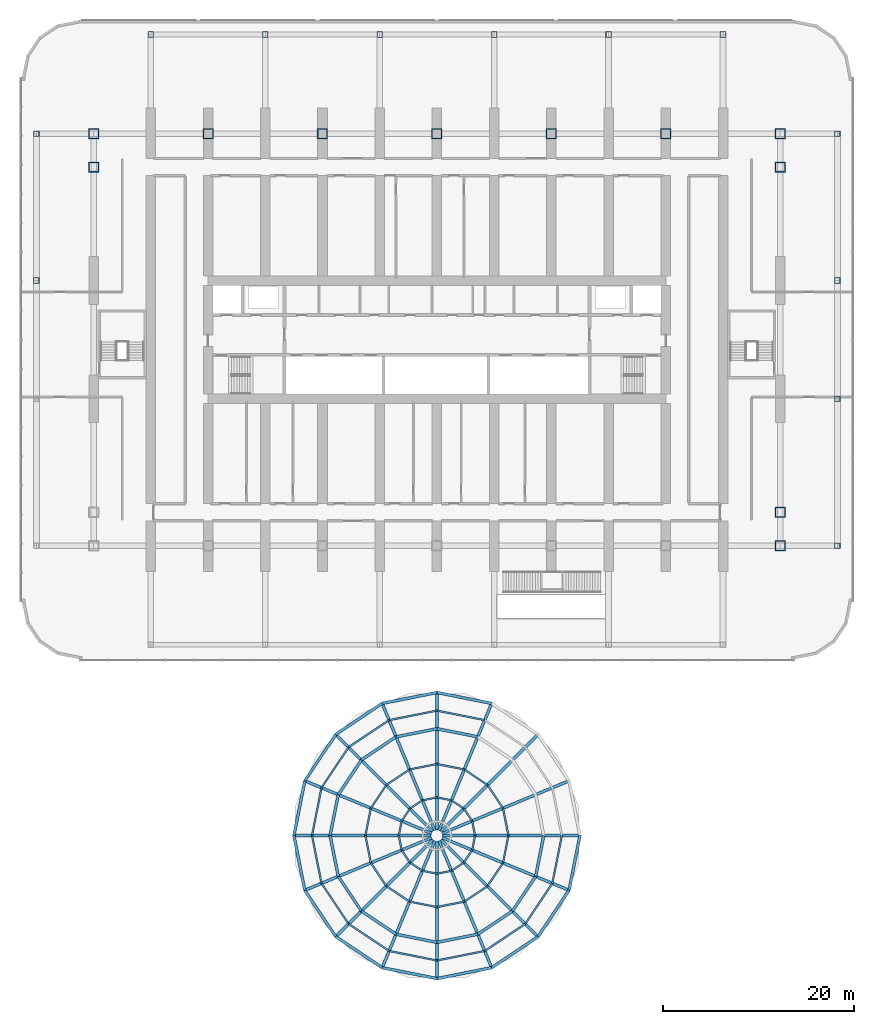
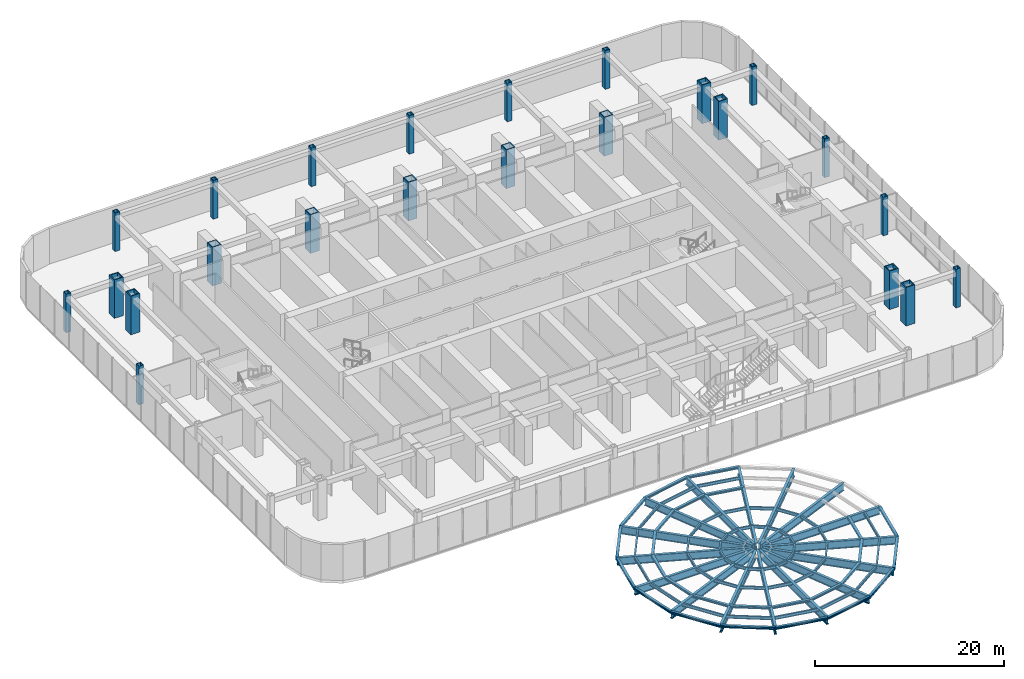
# One storey, part 3 of 37: 61 members, 26 beams, 23 columns.
"""IFC4 building model written with IfcOpenShell, lengths in metres."""

from ifc_helpers import new_model, si_unit, direction, frame, origin, origin_2d, place, context, subcontext, project, spatial, hollow_rectangle, i_section, extrude, material, material_profile, profile_set, type_object, element, save


model = new_model("IFC4")

# Units and contexts
model_context = context("Model", 3, precision=1e-05, world=origin(), true_north=direction((0.0, 1.0)))
body_context = subcontext(model_context, "Body", "Model", "MODEL_VIEW")
ifc_project = project(units=[si_unit("LENGTHUNIT", "METRE"), si_unit("AREAUNIT", "SQUARE_METRE"), si_unit("VOLUMEUNIT", "CUBIC_METRE"), si_unit("PLANEANGLEUNIT", "RADIAN"), si_unit("MASSUNIT", "GRAM", prefix="KILO")], contexts=[model_context])

# Site, building, storey
site_placement = place(None, origin())
site = spatial("IfcSite", under=ifc_project, at=site_placement, CompositionType="ELEMENT")
building_placement = place(site_placement, origin())
building = spatial("IfcBuilding", under=site, at=building_placement, Name="Orbita Commons", CompositionType="ELEMENT")
storey_placement = place(building_placement, frame((0.0, 0.0, 6.0)))
storey = spatial("IfcBuildingStorey", under=building, at=storey_placement, Name="L01", CompositionType="ELEMENT", Elevation=6.0)

# Columns
ifc_material_1 = material(Name="Steel ASTM A572 Gr 42 welded plate", Category="steel")
ifc_material_profile_1 = material_profile(ifc_material_1, hollow_rectangle(XDim=1.10009765625, YDim=1.10009765625, WallThickness=0.110107421875, at=origin_2d()), Name="BOX 1100x1100x110")
ifc_profile_set_1 = profile_set([ifc_material_profile_1], Name="Steel ASTM A572 Gr 42 welded plate")
column_type_1 = type_object("IfcColumnType", Name="Steel column BOX 1100x1100x110", PredefinedType="COLUMN", material=ifc_profile_set_1)
for number, where, z_axis, x_axis, name in (
    (1, (6.0, 53.60009765625, 0.0), (0.0, 0.0, 1.0), (1.0, 0.0, 0.0), "Column 2/E L01"),
    (2, (18.0, 53.60009765625, 0.0), (0.0, 0.0, 1.0), (1.0, 0.0, 0.0), "Column 4/E L01"),
    (3, (30.0, 53.60009765625, 0.0), (0.0, 0.0, 1.0), (1.0, 0.0, 0.0), "Column 6/E L01"),
    (4, (42.0, 53.60009765625, 0.0), (0.0, 0.0, 1.0), (1.0, 0.0, 0.0), "Column 8/E L01"),
    (5, (54.0, 53.60009765625, 0.0), (0.0, 0.0, 1.0), (1.0, 0.0, 0.0), "Column 10/E L01"),
    (6, (66.0, 53.60009765625, 0.0), (0.0, 0.0, 1.0), (1.0, 0.0, 0.0), "Column 12/E L01"),
    (7, (78.0, 10.39990234375, 0.0), (0.0, 0.0, 1.0), (1.0, 0.0, 0.0), "Column 14/B L01"),
    (8, (78.0, 53.60009765625, 0.0), (0.0, 0.0, 1.0), (1.0, 0.0, 0.0), "Column 14/E L01"),
    (9, (6.0, 50.10009765625, 0.0), (0.0, 0.0, 1.0), (1.0, 0.0, 0.0), "Column 2/50.1 L01"),
    (10, (78.0, 13.89990234375, 0.0), (0.0, 0.0, 1.0), (1.0, 0.0, 0.0), "Column 14/13.9 L01"),
    (11, (78.0, 50.10009765625, 0.0), (0.0, 0.0, 1.0), (1.0, 0.0, 0.0), "Column 14/50.1 L01"),
):
    element("IfcColumn", number, at=place(storey_placement, frame(where, z_axis=z_axis, x_axis=x_axis)), inside=storey, type_object=column_type_1, Name=name, PredefinedType="COLUMN", context=body_context, shape_type="SweptSolid", body=[
        extrude(hollow_rectangle(XDim=1.10009765625, YDim=1.10009765625, WallThickness=0.110107421875, at=origin_2d()), origin(), (0.0, 0.0, 1.0), 5.0),
    ])
ifc_material_2 = material(Name="Steel ASTM A572 Gr 50 welded plate", Category="steel")
ifc_material_profile_2 = material_profile(ifc_material_2, hollow_rectangle(XDim=0.60009765625, YDim=0.60009765625, WallThickness=0.06005859375, at=origin_2d()), Name="BOX 600x600x60")
ifc_profile_set_2 = profile_set([ifc_material_profile_2], Name="Steel ASTM A572 Gr 50 welded plate")
column_type_2 = type_object("IfcColumnType", Name="Steel column BOX 600x600x60", PredefinedType="COLUMN", material=ifc_profile_set_2)
for number, where, z_axis, x_axis, name in (
    (12, (12.0, 64.0, 0.0), (0.0, 0.0, 1.0), (1.0, 0.0, 0.0), "Column 3/F L01"),
    (13, (24.0, 64.0, 0.0), (0.0, 0.0, 1.0), (1.0, 0.0, 0.0), "Column 5/F L01"),
    (14, (36.0, 64.0, 0.0), (0.0, 0.0, 1.0), (1.0, 0.0, 0.0), "Column 7/F L01"),
    (15, (48.0, 64.0, 0.0), (0.0, 0.0, 1.0), (1.0, 0.0, 0.0), "Column 9/F L01"),
    (16, (60.0, 64.0, 0.0), (0.0, 0.0, 1.0), (1.0, 0.0, 0.0), "Column 11/F L01"),
    (17, (72.0, 64.0, 0.0), (0.0, 0.0, 1.0), (1.0, 0.0, 0.0), "Column 13/F L01"),
    (18, (0.0, 38.199951171875, 0.0), (0.0, 0.0, 1.0), (1.0, 0.0, 0.0), "Column 1/D L01"),
    (19, (0.0, 53.60009765625, 0.0), (0.0, 0.0, 1.0), (1.0, 0.0, 0.0), "Column 1/E L01"),
    (20, (84.0, 10.39990234375, 0.0), (0.0, 0.0, 1.0), (1.0, 0.0, 0.0), "Column 15/B L01"),
    (21, (84.0, 25.800048828125, 0.0), (0.0, 0.0, 1.0), (1.0, 0.0, 0.0), "Column 15/C L01"),
    (22, (84.0, 38.199951171875, 0.0), (0.0, 0.0, 1.0), (1.0, 0.0, 0.0), "Column 15/D L01"),
    (23, (84.0, 53.60009765625, 0.0), (0.0, 0.0, 1.0), (1.0, 0.0, 0.0), "Column 15/E L01"),
):
    element("IfcColumn", number, at=place(storey_placement, frame(where, z_axis=z_axis, x_axis=x_axis)), inside=storey, type_object=column_type_2, Name=name, PredefinedType="COLUMN", context=body_context, shape_type="SweptSolid", body=[
        extrude(hollow_rectangle(XDim=0.60009765625, YDim=0.60009765625, WallThickness=0.06005859375, at=origin_2d()), origin(), (0.0, 0.0, 1.0), 5.0),
    ])

# Members
ifc_material_3 = material(Name="Steel ASTM A992", Category="steel")
ifc_material_profile_3 = material_profile(ifc_material_3, i_section(OverallWidth=0.179931640625, OverallDepth=0.39990234375, WebThickness=0.008544921875, FlangeThickness=0.013427734375, FilletRadius=0.02099609375, at=origin_2d()), Name="IPE 400")
ifc_profile_set_3 = profile_set([ifc_material_profile_3], Name="Steel ASTM A992")
member_type_1 = type_object("IfcMemberType", Name="Canopy purlin IPE 400", PredefinedType="PURLIN", material=ifc_profile_set_3)
for number, where, z_axis, x_axis, name in (
    (24, (46.0, -20.0, 1.800048828125), (-0.195063155143, 0.980790683839, 0.0), (-0.980790683839, -0.195063155143, 0.0), "Canopy purlin r4 1"),
    (25, (45.695556640625, -18.46923828125, 1.800048828125), (-0.555638421725, 0.831424046022, 0.0), (-0.831424046022, -0.555638421725, 0.0), "Canopy purlin r4 2"),
    (26, (44.828369140625, -17.171630859375, 1.800048828125), (-0.831424046022, 0.555638421725, 0.0), (-0.555638421725, -0.831424046022, 0.0), "Canopy purlin r4 3"),
    (27, (43.53076171875, -16.304443359375, 1.800048828125), (-0.980790683839, 0.195063155143, 0.0), (-0.195063155143, -0.980790683839, 0.0), "Canopy purlin r4 4"),
    (28, (42.0, -16.0, 1.800048828125), (-0.980790683839, -0.195063155143, 0.0), (0.195063155143, -0.980790683839, 0.0), "Canopy purlin r4 5"),
    (29, (40.46923828125, -16.304443359375, 1.800048828125), (-0.831424046022, -0.555638421725, 0.0), (0.555638421725, -0.831424046022, 0.0), "Canopy purlin r4 6"),
    (30, (39.171630859375, -17.171630859375, 1.800048828125), (-0.555638421725, -0.831424046022, 0.0), (0.831424046022, -0.555638421725, 0.0), "Canopy purlin r4 7"),
    (31, (38.304443359375, -18.46923828125, 1.800048828125), (-0.195063155143, -0.980790683839, 0.0), (0.980790683839, -0.195063155143, 0.0), "Canopy purlin r4 8"),
    (32, (38.0, -20.0, 1.800048828125), (0.195063155143, -0.980790683839, 0.0), (0.980790683839, 0.195063155143, 0.0), "Canopy purlin r4 9"),
    (33, (38.304443359375, -21.53076171875, 1.800048828125), (0.555638421725, -0.831424046022, 0.0), (0.831424046022, 0.555638421725, 0.0), "Canopy purlin r4 10"),
    (34, (39.171630859375, -22.828369140625, 1.800048828125), (0.831424046022, -0.555638421725, 0.0), (0.555638421725, 0.831424046022, 0.0), "Canopy purlin r4 11"),
    (35, (40.46923828125, -23.695556640625, 1.800048828125), (0.980790683839, -0.195063155143, 0.0), (0.195063155143, 0.980790683839, 0.0), "Canopy purlin r4 12"),
    (36, (42.0, -24.0, 1.800048828125), (0.980790683839, 0.195063155143, 0.0), (-0.195063155143, 0.980790683839, 0.0), "Canopy purlin r4 13"),
    (37, (43.53076171875, -23.695556640625, 1.800048828125), (0.831424046022, 0.555638421725, 0.0), (-0.555638421725, 0.831424046022, 0.0), "Canopy purlin r4 14"),
    (38, (44.828369140625, -22.828369140625, 1.800048828125), (0.555638421725, 0.831424046022, 0.0), (-0.831424046022, 0.555638421725, 0.0), "Canopy purlin r4 15"),
    (39, (45.695556640625, -21.53076171875, 1.800048828125), (0.195063155143, 0.980790683839, 0.0), (-0.980790683839, 0.195063155143, 0.0), "Canopy purlin r4 16"),
):
    element("IfcMember", number, at=place(storey_placement, frame(where, z_axis=z_axis, x_axis=x_axis)), inside=storey, type_object=member_type_1, Name=name, PredefinedType="PURLIN", context=body_context, shape_type="SweptSolid", body=[
        extrude(i_section(OverallWidth=0.179931640625, OverallDepth=0.39990234375, WebThickness=0.008544921875, FlangeThickness=0.013427734375, FilletRadius=0.02099609375, at=origin_2d()), origin(), (0.0, 0.0, 1.0), 1.560791015625),
    ])
member_1_placement = place(storey_placement, frame((49.5, -20.0, 1.800048828125), z_axis=(-0.195057113645, 0.980791885375, 0.0), x_axis=(-0.980791885375, -0.195057113645, 0.0)))
element("IfcMember", 40, at=member_1_placement, inside=storey, type_object=member_type_1, Name="Canopy purlin r7.5 1", PredefinedType="PURLIN", context=body_context, shape_type="SweptSolid", body=[
    extrude(i_section(OverallWidth=0.179931640625, OverallDepth=0.39990234375, WebThickness=0.008544921875, FlangeThickness=0.013427734375, FilletRadius=0.02099609375, at=origin_2d()), origin(), (0.0, 0.0, 1.0), 2.92626953125),
])
for number, where, z_axis, x_axis, name in (
    (41, (48.92919921875, -17.1298828125, 1.800048828125), (-0.555623968812, 0.831433704682, 0.0), (-0.831433704682, -0.555623968812, 0.0), "Canopy purlin r7.5 2"),
    (42, (47.30322265625, -14.69677734375, 1.800048828125), (-0.831433704682, 0.555623968812, 0.0), (-0.555623968812, -0.831433704682, 0.0), "Canopy purlin r7.5 3"),
):
    element("IfcMember", number, at=place(storey_placement, frame(where, z_axis=z_axis, x_axis=x_axis)), inside=storey, type_object=member_type_1, Name=name, PredefinedType="PURLIN", context=body_context, shape_type="SweptSolid", body=[
        extrude(i_section(OverallWidth=0.179931640625, OverallDepth=0.39990234375, WebThickness=0.008544921875, FlangeThickness=0.013427734375, FilletRadius=0.02099609375, at=origin_2d()), origin(), (0.0, 0.0, 1.0), 2.926513671875),
    ])
for number, where, z_axis, x_axis, name in (
    (43, (44.8701171875, -13.07080078125, 1.800048828125), (-0.980791885375, 0.195057113645, 0.0), (-0.195057113645, -0.980791885375, 0.0), "Canopy purlin r7.5 4"),
    (44, (42.0, -12.5, 1.800048828125), (-0.980791885375, -0.195057113645, 0.0), (0.195057113645, -0.980791885375, 0.0), "Canopy purlin r7.5 5"),
):
    element("IfcMember", number, at=place(storey_placement, frame(where, z_axis=z_axis, x_axis=x_axis)), inside=storey, type_object=member_type_1, Name=name, PredefinedType="PURLIN", context=body_context, shape_type="SweptSolid", body=[
        extrude(i_section(OverallWidth=0.179931640625, OverallDepth=0.39990234375, WebThickness=0.008544921875, FlangeThickness=0.013427734375, FilletRadius=0.02099609375, at=origin_2d()), origin(), (0.0, 0.0, 1.0), 2.92626953125),
    ])
for number, where, z_axis, x_axis, name in (
    (45, (39.1298828125, -13.07080078125, 1.800048828125), (-0.831433704682, -0.555623968812, 0.0), (0.555623968812, -0.831433704682, 0.0), "Canopy purlin r7.5 6"),
    (46, (36.69677734375, -14.69677734375, 1.800048828125), (-0.555623968812, -0.831433704682, 0.0), (0.831433704682, -0.555623968812, 0.0), "Canopy purlin r7.5 7"),
):
    element("IfcMember", number, at=place(storey_placement, frame(where, z_axis=z_axis, x_axis=x_axis)), inside=storey, type_object=member_type_1, Name=name, PredefinedType="PURLIN", context=body_context, shape_type="SweptSolid", body=[
        extrude(i_section(OverallWidth=0.179931640625, OverallDepth=0.39990234375, WebThickness=0.008544921875, FlangeThickness=0.013427734375, FilletRadius=0.02099609375, at=origin_2d()), origin(), (0.0, 0.0, 1.0), 2.926513671875),
    ])
for number, where, z_axis, x_axis, name in (
    (47, (35.07080078125, -17.1298828125, 1.800048828125), (-0.195057113645, -0.980791885375, 0.0), (0.980791885375, -0.195057113645, 0.0), "Canopy purlin r7.5 8"),
    (48, (34.5, -20.0, 1.800048828125), (0.195057113645, -0.980791885375, 0.0), (0.980791885375, 0.195057113645, 0.0), "Canopy purlin r7.5 9"),
):
    element("IfcMember", number, at=place(storey_placement, frame(where, z_axis=z_axis, x_axis=x_axis)), inside=storey, type_object=member_type_1, Name=name, PredefinedType="PURLIN", context=body_context, shape_type="SweptSolid", body=[
        extrude(i_section(OverallWidth=0.179931640625, OverallDepth=0.39990234375, WebThickness=0.008544921875, FlangeThickness=0.013427734375, FilletRadius=0.02099609375, at=origin_2d()), origin(), (0.0, 0.0, 1.0), 2.92626953125),
    ])
for number, where, z_axis, x_axis, name in (
    (49, (35.07080078125, -22.8701171875, 1.800048828125), (0.555623968812, -0.831433704682, 0.0), (0.831433704682, 0.555623968812, 0.0), "Canopy purlin r7.5 10"),
    (50, (36.69677734375, -25.30322265625, 1.800048828125), (0.831433704682, -0.555623968812, 0.0), (0.555623968812, 0.831433704682, 0.0), "Canopy purlin r7.5 11"),
):
    element("IfcMember", number, at=place(storey_placement, frame(where, z_axis=z_axis, x_axis=x_axis)), inside=storey, type_object=member_type_1, Name=name, PredefinedType="PURLIN", context=body_context, shape_type="SweptSolid", body=[
        extrude(i_section(OverallWidth=0.179931640625, OverallDepth=0.39990234375, WebThickness=0.008544921875, FlangeThickness=0.013427734375, FilletRadius=0.02099609375, at=origin_2d()), origin(), (0.0, 0.0, 1.0), 2.926513671875),
    ])
for number, where, z_axis, x_axis, name in (
    (51, (39.1298828125, -26.92919921875, 1.800048828125), (0.980791885375, -0.195057113645, 0.0), (0.195057113645, 0.980791885375, 0.0), "Canopy purlin r7.5 12"),
    (52, (42.0, -27.5, 1.800048828125), (0.980791885375, 0.195057113645, 0.0), (-0.195057113645, 0.980791885375, 0.0), "Canopy purlin r7.5 13"),
):
    element("IfcMember", number, at=place(storey_placement, frame(where, z_axis=z_axis, x_axis=x_axis)), inside=storey, type_object=member_type_1, Name=name, PredefinedType="PURLIN", context=body_context, shape_type="SweptSolid", body=[
        extrude(i_section(OverallWidth=0.179931640625, OverallDepth=0.39990234375, WebThickness=0.008544921875, FlangeThickness=0.013427734375, FilletRadius=0.02099609375, at=origin_2d()), origin(), (0.0, 0.0, 1.0), 2.92626953125),
    ])
for number, where, z_axis, x_axis, name in (
    (53, (44.8701171875, -26.92919921875, 1.800048828125), (0.831433704682, 0.555623968812, 0.0), (-0.555623968812, 0.831433704682, 0.0), "Canopy purlin r7.5 14"),
    (54, (47.30322265625, -25.30322265625, 1.800048828125), (0.555623968812, 0.831433704682, 0.0), (-0.831433704682, 0.555623968812, 0.0), "Canopy purlin r7.5 15"),
):
    element("IfcMember", number, at=place(storey_placement, frame(where, z_axis=z_axis, x_axis=x_axis)), inside=storey, type_object=member_type_1, Name=name, PredefinedType="PURLIN", context=body_context, shape_type="SweptSolid", body=[
        extrude(i_section(OverallWidth=0.179931640625, OverallDepth=0.39990234375, WebThickness=0.008544921875, FlangeThickness=0.013427734375, FilletRadius=0.02099609375, at=origin_2d()), origin(), (0.0, 0.0, 1.0), 2.926513671875),
    ])
member_2_placement = place(storey_placement, frame((48.92919921875, -22.8701171875, 1.800048828125), z_axis=(0.195057113645, 0.980791885375, 0.0), x_axis=(-0.980791885375, 0.195057113645, 0.0)))
element("IfcMember", 55, at=member_2_placement, inside=storey, type_object=member_type_1, Name="Canopy purlin r7.5 16", PredefinedType="PURLIN", context=body_context, shape_type="SweptSolid", body=[
    extrude(i_section(OverallWidth=0.179931640625, OverallDepth=0.39990234375, WebThickness=0.008544921875, FlangeThickness=0.013427734375, FilletRadius=0.02099609375, at=origin_2d()), origin(), (0.0, 0.0, 1.0), 2.92626953125),
])
for number, where, z_axis, x_axis, name in (
    (56, (47.01318359375, -7.897216796875, 1.800048828125), (-0.98078040481, 0.195114831677, 0.0), (-0.195114831677, -0.98078040481, 0.0), "Canopy purlin r13.1 4"),
    (57, (42.0, -6.89990234375, 1.800048828125), (-0.98078040481, -0.195114831677, 0.0), (0.195114831677, -0.98078040481, 0.0), "Canopy purlin r13.1 5"),
    (58, (36.98681640625, -7.897216796875, 1.800048828125), (-0.831484036101, -0.555548645674, 0.0), (0.555548645674, -0.831484036101, 0.0), "Canopy purlin r13.1 6"),
    (59, (32.73681640625, -10.73681640625, 1.800048828125), (-0.555548645674, -0.831484036101, 0.0), (0.831484036101, -0.555548645674, 0.0), "Canopy purlin r13.1 7"),
    (60, (29.897216796875, -14.98681640625, 1.800048828125), (-0.195114831677, -0.98078040481, 0.0), (0.98078040481, -0.195114831677, 0.0), "Canopy purlin r13.1 8"),
    (61, (28.89990234375, -20.0, 1.800048828125), (0.195114831677, -0.98078040481, 0.0), (0.98078040481, 0.195114831677, 0.0), "Canopy purlin r13.1 9"),
    (62, (29.897216796875, -25.01318359375, 1.800048828125), (0.555548645674, -0.831484036101, 0.0), (0.831484036101, 0.555548645674, 0.0), "Canopy purlin r13.1 10"),
    (63, (32.73681640625, -29.26318359375, 1.800048828125), (0.831484036101, -0.555548645674, 0.0), (0.555548645674, 0.831484036101, 0.0), "Canopy purlin r13.1 11"),
    (64, (36.98681640625, -32.102783203125, 1.800048828125), (0.98078040481, -0.195114831677, 0.0), (0.195114831677, 0.98078040481, 0.0), "Canopy purlin r13.1 12"),
    (65, (42.0, -33.10009765625, 1.800048828125), (0.98078040481, 0.195114831677, 0.0), (-0.195114831677, 0.98078040481, 0.0), "Canopy purlin r13.1 13"),
    (66, (47.01318359375, -32.102783203125, 1.800048828125), (0.831484036101, 0.555548645674, 0.0), (-0.555548645674, 0.831484036101, 0.0), "Canopy purlin r13.1 14"),
    (67, (51.26318359375, -29.26318359375, 1.800048828125), (0.555548645674, 0.831484036101, 0.0), (-0.831484036101, 0.555548645674, 0.0), "Canopy purlin r13.1 15"),
    (68, (54.102783203125, -25.01318359375, 1.800048828125), (0.195114831677, 0.98078040481, 0.0), (-0.98078040481, 0.195114831677, 0.0), "Canopy purlin r13.1 16"),
):
    element("IfcMember", number, at=place(storey_placement, frame(where, z_axis=z_axis, x_axis=x_axis)), inside=storey, type_object=member_type_1, Name=name, PredefinedType="PURLIN", context=body_context, shape_type="SweptSolid", body=[
        extrude(i_section(OverallWidth=0.179931640625, OverallDepth=0.39990234375, WebThickness=0.008544921875, FlangeThickness=0.013427734375, FilletRadius=0.02099609375, at=origin_2d()), origin(), (0.0, 0.0, 1.0), 5.111328125),
    ])
ifc_material_4 = material(Name="Steel ASTM A992", Category="steel")
ifc_material_profile_4 = material_profile(ifc_material_4, i_section(OverallWidth=0.302001953125, OverallDepth=1.008056640625, WebThickness=0.02099609375, FlangeThickness=0.0400390625, FilletRadius=0.030029296875, at=origin_2d()), Name="HEM 1000")
ifc_profile_set_4 = profile_set([ifc_material_profile_4], Name="Steel ASTM A992")
member_type_2 = type_object("IfcMemberType", Name="Canopy rafter HEM 1000", PredefinedType="RAFTER", material=ifc_profile_set_4)
for number, where, z_axis, x_axis, name in (
    (69, (42.60009765625, -20.0, 1.49609375), (1.0, 0.0, 0.0), (0.0, 1.0, 0.0), "Canopy rafter 1"),
    (70, (42.554443359375, -19.7705078125, 1.49609375), (0.923875488976, 0.382693194178, 0.0), (-0.382693194178, 0.923875488976, 0.0), "Canopy rafter 2"),
):
    element("IfcMember", number, at=place(storey_placement, frame(where, z_axis=z_axis, x_axis=x_axis)), inside=storey, type_object=member_type_2, Name=name, PredefinedType="RAFTER", context=body_context, shape_type="SweptSolid", body=[
        extrude(i_section(OverallWidth=0.302001953125, OverallDepth=1.008056640625, WebThickness=0.02099609375, FlangeThickness=0.0400390625, FilletRadius=0.030029296875, at=origin_2d()), origin(), (0.0, 0.0, 1.0), 14.39990234375),
    ])
member_3_placement = place(storey_placement, frame((42.42431640625, -19.57568359375, 1.49609375), z_axis=(0.707106781187, 0.707106781187, 0.0), x_axis=(-0.707106781187, 0.707106781187, 0.0)))
element("IfcMember", 71, at=member_3_placement, inside=storey, type_object=member_type_2, Name="Canopy rafter 3", PredefinedType="RAFTER", context=body_context, shape_type="SweptSolid", body=[
    extrude(i_section(OverallWidth=0.302001953125, OverallDepth=1.008056640625, WebThickness=0.02099609375, FlangeThickness=0.0400390625, FilletRadius=0.030029296875, at=origin_2d()), origin(), (0.0, 0.0, 1.0), 14.400146484375),
])
for number, where, z_axis, x_axis, name in (
    (72, (42.2294921875, -19.445556640625, 1.49609375), (0.382693194178, 0.923875488976, 0.0), (-0.923875488976, 0.382693194178, 0.0), "Canopy rafter 4"),
    (73, (42.0, -19.39990234375, 1.49609375), (0.0, 1.0, 0.0), (-1.0, 0.0, 0.0), "Canopy rafter 5"),
    (74, (41.7705078125, -19.445556640625, 1.49609375), (-0.382693194178, 0.923875488976, 0.0), (-0.923875488976, -0.382693194178, 0.0), "Canopy rafter 6"),
):
    element("IfcMember", number, at=place(storey_placement, frame(where, z_axis=z_axis, x_axis=x_axis)), inside=storey, type_object=member_type_2, Name=name, PredefinedType="RAFTER", context=body_context, shape_type="SweptSolid", body=[
        extrude(i_section(OverallWidth=0.302001953125, OverallDepth=1.008056640625, WebThickness=0.02099609375, FlangeThickness=0.0400390625, FilletRadius=0.030029296875, at=origin_2d()), origin(), (0.0, 0.0, 1.0), 14.39990234375),
    ])
member_4_placement = place(storey_placement, frame((41.57568359375, -19.57568359375, 1.49609375), z_axis=(-0.707106781187, 0.707106781187, 0.0), x_axis=(-0.707106781187, -0.707106781187, 0.0)))
element("IfcMember", 75, at=member_4_placement, inside=storey, type_object=member_type_2, Name="Canopy rafter 7", PredefinedType="RAFTER", context=body_context, shape_type="SweptSolid", body=[
    extrude(i_section(OverallWidth=0.302001953125, OverallDepth=1.008056640625, WebThickness=0.02099609375, FlangeThickness=0.0400390625, FilletRadius=0.030029296875, at=origin_2d()), origin(), (0.0, 0.0, 1.0), 14.400146484375),
])
for number, where, z_axis, x_axis, name in (
    (76, (41.445556640625, -19.7705078125, 1.49609375), (-0.923875488976, 0.382693194178, 0.0), (-0.382693194178, -0.923875488976, 0.0), "Canopy rafter 8"),
    (77, (41.39990234375, -20.0, 1.49609375), (-1.0, 0.0, 0.0), (0.0, -1.0, 0.0), "Canopy rafter 9"),
    (78, (41.445556640625, -20.2294921875, 1.49609375), (-0.923875488976, -0.382693194178, 0.0), (0.382693194178, -0.923875488976, 0.0), "Canopy rafter 10"),
):
    element("IfcMember", number, at=place(storey_placement, frame(where, z_axis=z_axis, x_axis=x_axis)), inside=storey, type_object=member_type_2, Name=name, PredefinedType="RAFTER", context=body_context, shape_type="SweptSolid", body=[
        extrude(i_section(OverallWidth=0.302001953125, OverallDepth=1.008056640625, WebThickness=0.02099609375, FlangeThickness=0.0400390625, FilletRadius=0.030029296875, at=origin_2d()), origin(), (0.0, 0.0, 1.0), 14.39990234375),
    ])
member_5_placement = place(storey_placement, frame((41.57568359375, -20.42431640625, 1.49609375), z_axis=(-0.707106781187, -0.707106781187, 0.0), x_axis=(0.707106781187, -0.707106781187, 0.0)))
element("IfcMember", 79, at=member_5_placement, inside=storey, type_object=member_type_2, Name="Canopy rafter 11", PredefinedType="RAFTER", context=body_context, shape_type="SweptSolid", body=[
    extrude(i_section(OverallWidth=0.302001953125, OverallDepth=1.008056640625, WebThickness=0.02099609375, FlangeThickness=0.0400390625, FilletRadius=0.030029296875, at=origin_2d()), origin(), (0.0, 0.0, 1.0), 14.400146484375),
])
for number, where, z_axis, x_axis, name in (
    (80, (41.7705078125, -20.554443359375, 1.49609375), (-0.382693194178, -0.923875488976, 0.0), (0.923875488976, -0.382693194178, 0.0), "Canopy rafter 12"),
    (81, (42.0, -20.60009765625, 1.49609375), (0.0, -1.0, 0.0), (1.0, 0.0, 0.0), "Canopy rafter 13"),
    (82, (42.2294921875, -20.554443359375, 1.49609375), (0.382693194178, -0.923875488976, 0.0), (0.923875488976, 0.382693194178, 0.0), "Canopy rafter 14"),
):
    element("IfcMember", number, at=place(storey_placement, frame(where, z_axis=z_axis, x_axis=x_axis)), inside=storey, type_object=member_type_2, Name=name, PredefinedType="RAFTER", context=body_context, shape_type="SweptSolid", body=[
        extrude(i_section(OverallWidth=0.302001953125, OverallDepth=1.008056640625, WebThickness=0.02099609375, FlangeThickness=0.0400390625, FilletRadius=0.030029296875, at=origin_2d()), origin(), (0.0, 0.0, 1.0), 14.39990234375),
    ])
member_6_placement = place(storey_placement, frame((42.42431640625, -20.42431640625, 1.49609375), z_axis=(0.707106781187, -0.707106781187, 0.0), x_axis=(0.707106781187, 0.707106781187, 0.0)))
element("IfcMember", 83, at=member_6_placement, inside=storey, type_object=member_type_2, Name="Canopy rafter 15", PredefinedType="RAFTER", context=body_context, shape_type="SweptSolid", body=[
    extrude(i_section(OverallWidth=0.302001953125, OverallDepth=1.008056640625, WebThickness=0.02099609375, FlangeThickness=0.0400390625, FilletRadius=0.030029296875, at=origin_2d()), origin(), (0.0, 0.0, 1.0), 14.400146484375),
])
member_7_placement = place(storey_placement, frame((42.554443359375, -20.2294921875, 1.49609375), z_axis=(0.923875488976, -0.382693194178, 0.0), x_axis=(0.382693194178, 0.923875488976, 0.0)))
element("IfcMember", 84, at=member_7_placement, inside=storey, type_object=member_type_2, Name="Canopy rafter 16", PredefinedType="RAFTER", context=body_context, shape_type="SweptSolid", body=[
    extrude(i_section(OverallWidth=0.302001953125, OverallDepth=1.008056640625, WebThickness=0.02099609375, FlangeThickness=0.0400390625, FilletRadius=0.030029296875, at=origin_2d()), origin(), (0.0, 0.0, 1.0), 14.39990234375),
])

# Beams
ifc_material_5 = material(Name="Steel ASTM A992", Category="steel")
ifc_material_profile_5 = material_profile(ifc_material_5, i_section(OverallWidth=0.300048828125, OverallDepth=0.300048828125, WebThickness=0.010986328125, FlangeThickness=0.01904296875, FilletRadius=0.027099609375, at=origin_2d()), Name="HEB 300")
ifc_profile_set_5 = profile_set([ifc_material_profile_5], Name="Steel ASTM A992")
beam_type = type_object("IfcBeamType", Name="Canopy ring beam HEB 300", PredefinedType="BEAM", material=ifc_profile_set_5)
for number, where, z_axis, x_axis, name in (
    (85, (46.2861328125, -9.652587890625, 1.85009765625), (-0.980786408364, 0.195084651288, 0.0), (-0.195084651288, -0.980786408364, 0.0), "Canopy ring beam r11.2 4"),
    (86, (42.0, -8.800048828125, 1.85009765625), (-0.980786408364, -0.195084651288, 0.0), (0.195084651288, -0.980786408364, 0.0), "Canopy ring beam r11.2 5"),
):
    element("IfcBeam", number, at=place(storey_placement, frame(where, z_axis=z_axis, x_axis=x_axis)), inside=storey, type_object=beam_type, Name=name, PredefinedType="BEAM", context=body_context, shape_type="SweptSolid", body=[
        extrude(i_section(OverallWidth=0.300048828125, OverallDepth=0.300048828125, WebThickness=0.010986328125, FlangeThickness=0.01904296875, FilletRadius=0.027099609375, at=origin_2d()), origin(), (0.0, 0.0, 1.0), 4.3701171875),
    ])
for number, where, z_axis, x_axis, name in (
    (87, (37.7138671875, -9.652587890625, 1.85009765625), (-0.831482584747, -0.555550817894, 0.0), (0.555550817894, -0.831482584747, 0.0), "Canopy ring beam r11.2 6"),
    (88, (34.080322265625, -12.080322265625, 1.85009765625), (-0.555550817894, -0.831482584747, 0.0), (0.831482584747, -0.555550817894, 0.0), "Canopy ring beam r11.2 7"),
):
    element("IfcBeam", number, at=place(storey_placement, frame(where, z_axis=z_axis, x_axis=x_axis)), inside=storey, type_object=beam_type, Name=name, PredefinedType="BEAM", context=body_context, shape_type="SweptSolid", body=[
        extrude(i_section(OverallWidth=0.300048828125, OverallDepth=0.300048828125, WebThickness=0.010986328125, FlangeThickness=0.01904296875, FilletRadius=0.027099609375, at=origin_2d()), origin(), (0.0, 0.0, 1.0), 4.369873046875),
    ])
for number, where, z_axis, x_axis, name in (
    (89, (31.652587890625, -15.7138671875, 1.85009765625), (-0.195084651288, -0.980786408364, 0.0), (0.980786408364, -0.195084651288, 0.0), "Canopy ring beam r11.2 8"),
    (90, (30.800048828125, -20.0, 1.85009765625), (0.195084651288, -0.980786408364, 0.0), (0.980786408364, 0.195084651288, 0.0), "Canopy ring beam r11.2 9"),
):
    element("IfcBeam", number, at=place(storey_placement, frame(where, z_axis=z_axis, x_axis=x_axis)), inside=storey, type_object=beam_type, Name=name, PredefinedType="BEAM", context=body_context, shape_type="SweptSolid", body=[
        extrude(i_section(OverallWidth=0.300048828125, OverallDepth=0.300048828125, WebThickness=0.010986328125, FlangeThickness=0.01904296875, FilletRadius=0.027099609375, at=origin_2d()), origin(), (0.0, 0.0, 1.0), 4.3701171875),
    ])
for number, where, z_axis, x_axis, name in (
    (91, (31.652587890625, -24.2861328125, 1.85009765625), (0.555550817894, -0.831482584747, 0.0), (0.831482584747, 0.555550817894, 0.0), "Canopy ring beam r11.2 10"),
    (92, (34.080322265625, -27.919677734375, 1.85009765625), (0.831482584747, -0.555550817894, 0.0), (0.555550817894, 0.831482584747, 0.0), "Canopy ring beam r11.2 11"),
):
    element("IfcBeam", number, at=place(storey_placement, frame(where, z_axis=z_axis, x_axis=x_axis)), inside=storey, type_object=beam_type, Name=name, PredefinedType="BEAM", context=body_context, shape_type="SweptSolid", body=[
        extrude(i_section(OverallWidth=0.300048828125, OverallDepth=0.300048828125, WebThickness=0.010986328125, FlangeThickness=0.01904296875, FilletRadius=0.027099609375, at=origin_2d()), origin(), (0.0, 0.0, 1.0), 4.369873046875),
    ])
for number, where, z_axis, x_axis, name in (
    (93, (37.7138671875, -30.347412109375, 1.85009765625), (0.980786408364, -0.195084651288, 0.0), (0.195084651288, 0.980786408364, 0.0), "Canopy ring beam r11.2 12"),
    (94, (42.0, -31.199951171875, 1.85009765625), (0.980786408364, 0.195084651288, 0.0), (-0.195084651288, 0.980786408364, 0.0), "Canopy ring beam r11.2 13"),
):
    element("IfcBeam", number, at=place(storey_placement, frame(where, z_axis=z_axis, x_axis=x_axis)), inside=storey, type_object=beam_type, Name=name, PredefinedType="BEAM", context=body_context, shape_type="SweptSolid", body=[
        extrude(i_section(OverallWidth=0.300048828125, OverallDepth=0.300048828125, WebThickness=0.010986328125, FlangeThickness=0.01904296875, FilletRadius=0.027099609375, at=origin_2d()), origin(), (0.0, 0.0, 1.0), 4.3701171875),
    ])
for number, where, z_axis, x_axis, name in (
    (95, (46.2861328125, -30.347412109375, 1.85009765625), (0.831482584747, 0.555550817894, 0.0), (-0.555550817894, 0.831482584747, 0.0), "Canopy ring beam r11.2 14"),
    (96, (49.919677734375, -27.919677734375, 1.85009765625), (0.555550817894, 0.831482584747, 0.0), (-0.831482584747, 0.555550817894, 0.0), "Canopy ring beam r11.2 15"),
):
    element("IfcBeam", number, at=place(storey_placement, frame(where, z_axis=z_axis, x_axis=x_axis)), inside=storey, type_object=beam_type, Name=name, PredefinedType="BEAM", context=body_context, shape_type="SweptSolid", body=[
        extrude(i_section(OverallWidth=0.300048828125, OverallDepth=0.300048828125, WebThickness=0.010986328125, FlangeThickness=0.01904296875, FilletRadius=0.027099609375, at=origin_2d()), origin(), (0.0, 0.0, 1.0), 4.369873046875),
    ])
beam_placement = place(storey_placement, frame((52.347412109375, -24.2861328125, 1.85009765625), z_axis=(0.195084651288, 0.980786408364, 0.0), x_axis=(-0.980786408364, 0.195084651288, 0.0)))
element("IfcBeam", 97, at=beam_placement, inside=storey, type_object=beam_type, Name="Canopy ring beam r11.2 16", PredefinedType="BEAM", context=body_context, shape_type="SweptSolid", body=[
    extrude(i_section(OverallWidth=0.300048828125, OverallDepth=0.300048828125, WebThickness=0.010986328125, FlangeThickness=0.01904296875, FilletRadius=0.027099609375, at=origin_2d()), origin(), (0.0, 0.0, 1.0), 4.3701171875),
])
for number, where, z_axis, x_axis, name in (
    (98, (47.740234375, -6.141845703125, 1.85009765625), (-0.980783904195, 0.195097240555, 0.0), (-0.195097240555, -0.980783904195, 0.0), "Canopy ring beam r15 4"),
    (99, (42.0, -5.0, 1.85009765625), (-0.980783904195, -0.195097240555, 0.0), (0.195097240555, -0.980783904195, 0.0), "Canopy ring beam r15 5"),
    (100, (36.259765625, -6.141845703125, 1.85009765625), (-0.831485119756, -0.555547023775, 0.0), (0.555547023775, -0.831485119756, 0.0), "Canopy ring beam r15 6"),
    (101, (31.393310546875, -9.393310546875, 1.85009765625), (-0.555547023775, -0.831485119756, 0.0), (0.831485119756, -0.555547023775, 0.0), "Canopy ring beam r15 7"),
    (102, (28.141845703125, -14.259765625, 1.85009765625), (-0.195097240555, -0.980783904195, 0.0), (0.980783904195, -0.195097240555, 0.0), "Canopy ring beam r15 8"),
    (103, (27.0, -20.0, 1.85009765625), (0.195097240555, -0.980783904195, 0.0), (0.980783904195, 0.195097240555, 0.0), "Canopy ring beam r15 9"),
    (104, (28.141845703125, -25.740234375, 1.85009765625), (0.555547023775, -0.831485119756, 0.0), (0.831485119756, 0.555547023775, 0.0), "Canopy ring beam r15 10"),
    (105, (31.393310546875, -30.606689453125, 1.85009765625), (0.831485119756, -0.555547023775, 0.0), (0.555547023775, 0.831485119756, 0.0), "Canopy ring beam r15 11"),
    (106, (36.259765625, -33.858154296875, 1.85009765625), (0.980783904195, -0.195097240555, 0.0), (0.195097240555, 0.980783904195, 0.0), "Canopy ring beam r15 12"),
    (107, (42.0, -35.0, 1.85009765625), (0.980783904195, 0.195097240555, 0.0), (-0.195097240555, 0.980783904195, 0.0), "Canopy ring beam r15 13"),
    (108, (47.740234375, -33.858154296875, 1.85009765625), (0.831485119756, 0.555547023775, 0.0), (-0.555547023775, 0.831485119756, 0.0), "Canopy ring beam r15 14"),
    (109, (52.606689453125, -30.606689453125, 1.85009765625), (0.555547023775, 0.831485119756, 0.0), (-0.831485119756, 0.555547023775, 0.0), "Canopy ring beam r15 15"),
    (110, (55.858154296875, -25.740234375, 1.85009765625), (0.195097240555, 0.980783904195, 0.0), (-0.980783904195, 0.195097240555, 0.0), "Canopy ring beam r15 16"),
):
    element("IfcBeam", number, at=place(storey_placement, frame(where, z_axis=z_axis, x_axis=x_axis)), inside=storey, type_object=beam_type, Name=name, PredefinedType="BEAM", context=body_context, shape_type="SweptSolid", body=[
        extrude(i_section(OverallWidth=0.300048828125, OverallDepth=0.300048828125, WebThickness=0.010986328125, FlangeThickness=0.01904296875, FilletRadius=0.027099609375, at=origin_2d()), origin(), (0.0, 0.0, 1.0), 5.852783203125),
    ])

save(model, "model.ifc")
